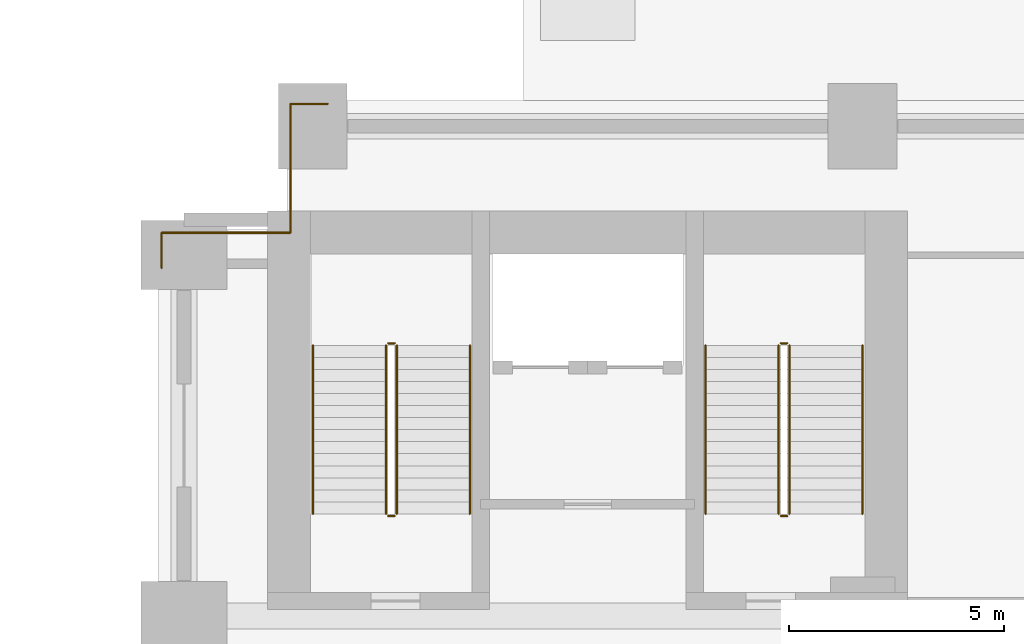
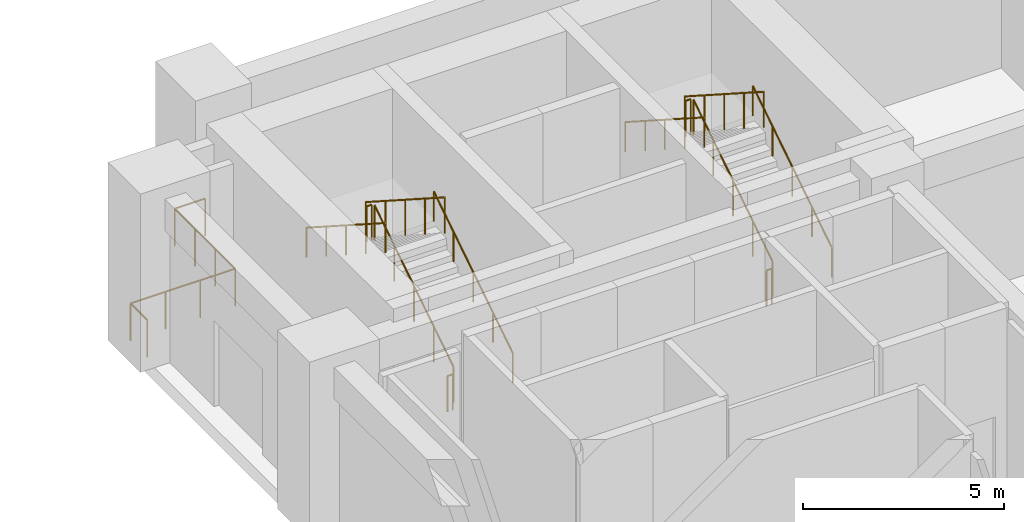
# One storey, part 10 of 14: 16 railings.
"""IFC4 building model written with IfcOpenShell, lengths in metres."""

from ifc_helpers import new_model, si_unit, direction, frame, origin, origin_2d, place, context, subcontext, project, spatial, circle, extrude, material, type_object, element, save


model = new_model("IFC4")

# Units and contexts
model_context = context("Model", 3, precision=1e-05, world=origin(), true_north=direction((0.0, 1.0)))
body_context = subcontext(model_context, "Body", "Model", "MODEL_VIEW")
ifc_project = project(units=[si_unit("LENGTHUNIT", "METRE"), si_unit("AREAUNIT", "SQUARE_METRE"), si_unit("VOLUMEUNIT", "CUBIC_METRE"), si_unit("PLANEANGLEUNIT", "RADIAN"), si_unit("MASSUNIT", "GRAM", prefix="KILO")], contexts=[model_context])

# Site, building, storey
site_placement = place(None, origin())
site = spatial("IfcSite", under=ifc_project, at=site_placement, CompositionType="ELEMENT")
building_placement = place(site_placement, origin())
building = spatial("IfcBuilding", under=site, at=building_placement, Name="Sulina Concourse Tower", CompositionType="ELEMENT")
storey_placement = place(building_placement, origin())
storey = spatial("IfcBuildingStorey", under=building, at=storey_placement, Name="L00", CompositionType="ELEMENT", Elevation=0.0)

# Railings
ifc_material_1 = material(Name="Galvanised steel railing", Category="steel")
railing_type_1 = type_object("IfcRailingType", Name="Core Stair Steel Guardrail 1150mm", PredefinedType="GUARDRAIL", material=ifc_material_1)
railing_1_placement = place(storey_placement, frame((0.080078125, 42.10009765625, 0.0)))
element("IfcRailing", 1, at=railing_1_placement, inside=storey, type_object=railing_type_1, Name="L00 perimeter edge safety guardrail NW1", PredefinedType="GUARDRAIL", context=body_context, shape_type="SweptSolid", body=[
    extrude(circle(Radius=0.02392578125, at=origin_2d()), frame((0.0, 0.0, 1.1259765625), z_axis=(0.0, 1.0, 0.0), x_axis=(-1.0, 0.0, 0.0)), (0.0, 0.0, 1.0), 0.81982421875),
    extrude(circle(Radius=0.02099609375, at=origin_2d()), origin(), (0.0, 0.0, 1.0), 1.101806640625),
    extrude(circle(Radius=0.02099609375, at=origin_2d()), frame((0.0, 0.81982421875, 0.0)), (0.0, 0.0, 1.0), 1.101806640625),
])
railing_2_placement = place(storey_placement, frame((0.080078125, 42.919921875, 0.0)))
element("IfcRailing", 2, at=railing_2_placement, inside=storey, type_object=railing_type_1, Name="L00 perimeter edge safety guardrail NW2", PredefinedType="GUARDRAIL", context=body_context, shape_type="SweptSolid", body=[
    extrude(circle(Radius=0.02392578125, at=origin_2d()), frame((0.0, 0.0, 1.1259765625), z_axis=(1.0, 0.0, 0.0), x_axis=(0.0, 1.0, 0.0)), (0.0, 0.0, 1.0), 3.0),
    extrude(circle(Radius=0.02099609375, at=origin_2d()), origin(), (0.0, 0.0, 1.0), 1.101806640625),
    extrude(circle(Radius=0.02099609375, at=origin_2d()), frame((1.0, 0.0, 0.0)), (0.0, 0.0, 1.0), 1.101806640625),
    extrude(circle(Radius=0.02099609375, at=origin_2d()), frame((2.0, 0.0, 0.0)), (0.0, 0.0, 1.0), 1.101806640625),
    extrude(circle(Radius=0.02099609375, at=origin_2d()), frame((3.0, 0.0, 0.0)), (0.0, 0.0, 1.0), 1.101806640625),
])
railing_3_placement = place(storey_placement, frame((3.080078125, 42.919921875, 0.0)))
element("IfcRailing", 3, at=railing_3_placement, inside=storey, type_object=railing_type_1, Name="L00 perimeter edge safety guardrail NW3", PredefinedType="GUARDRAIL", context=body_context, shape_type="SweptSolid", body=[
    extrude(circle(Radius=0.02392578125, at=origin_2d()), frame((0.0, 0.0, 1.1259765625), z_axis=(0.0, 1.0, 0.0), x_axis=(-1.0, 0.0, 0.0)), (0.0, 0.0, 1.0), 3.0),
    extrude(circle(Radius=0.02099609375, at=origin_2d()), origin(), (0.0, 0.0, 1.0), 1.101806640625),
    extrude(circle(Radius=0.02099609375, at=origin_2d()), frame((0.0, 1.0, 0.0)), (0.0, 0.0, 1.0), 1.101806640625),
    extrude(circle(Radius=0.02099609375, at=origin_2d()), frame((0.0, 2.0, 0.0)), (0.0, 0.0, 1.0), 1.101806640625),
    extrude(circle(Radius=0.02099609375, at=origin_2d()), frame((0.0, 3.0, 0.0)), (0.0, 0.0, 1.0), 1.101806640625),
])
railing_4_placement = place(storey_placement, frame((3.080078125, 45.919921875, 0.0)))
element("IfcRailing", 4, at=railing_4_placement, inside=storey, type_object=railing_type_1, Name="L00 perimeter edge safety guardrail NW4", PredefinedType="GUARDRAIL", context=body_context, shape_type="SweptSolid", body=[
    extrude(circle(Radius=0.02392578125, at=origin_2d()), frame((0.0, 0.0, 1.1259765625), z_axis=(1.0, 0.0, 0.0), x_axis=(0.0, 1.0, 0.0)), (0.0, 0.0, 1.0), 0.869873046875),
    extrude(circle(Radius=0.02099609375, at=origin_2d()), origin(), (0.0, 0.0, 1.0), 1.101806640625),
    extrude(circle(Radius=0.02099609375, at=origin_2d()), frame((0.869873046875, 0.0, 0.0)), (0.0, 0.0, 1.0), 1.101806640625),
])
railing_5_placement = place(storey_placement, frame((5.554931640625, 36.375, 0.179931640625)))
element("IfcRailing", 5, at=railing_5_placement, inside=storey, type_object=railing_type_1, Name="L00 ST-1 stair guard 1", PredefinedType="GUARDRAIL", context=body_context, shape_type="SweptSolid", body=[
    extrude(circle(Radius=0.02392578125, at=origin_2d()), frame((0.0, 0.0, 1.076171875), z_axis=(0.0, 0.841171666519, 0.540768182723), x_axis=(-1.0, 0.0, 0.0)), (0.0, 0.0, 1.0), 4.66015625),
    extrude(circle(Radius=0.02099609375, at=origin_2d()), origin(), (0.0, 0.0, 1.0), 1.052001953125),
    extrude(circle(Radius=0.02099609375, at=origin_2d()), frame((0.0, 0.97998046875, 0.6298828125)), (0.0, 0.0, 1.0), 1.052001953125),
    extrude(circle(Radius=0.02099609375, at=origin_2d()), frame((0.0, 1.9599609375, 1.260009765625)), (0.0, 0.0, 1.0), 1.052001953125),
    extrude(circle(Radius=0.02099609375, at=origin_2d()), frame((0.0, 2.93994140625, 1.89013671875)), (0.0, 0.0, 1.0), 1.052001953125),
    extrude(circle(Radius=0.02099609375, at=origin_2d()), frame((0.0, 3.919921875, 2.52001953125)), (0.0, 0.0, 1.0), 1.052001953125),
])
railing_6_placement = place(storey_placement, frame((5.5048828125, 40.344970703125, 2.699951171875)))
element("IfcRailing", 6, at=railing_6_placement, inside=storey, type_object=railing_type_1, Name="L00 ST-1 stair guard 2", PredefinedType="GUARDRAIL", context=body_context, shape_type="SweptSolid", body=[
    extrude(circle(Radius=0.02392578125, at=origin_2d()), frame((0.0, 0.0, 1.076171875), z_axis=(-1.0, 0.0, 0.0), x_axis=(0.0, -1.0, 0.0)), (0.0, 0.0, 1.0), 0.14990234375),
    extrude(circle(Radius=0.02099609375, at=origin_2d()), origin(), (0.0, 0.0, 1.0), 1.052001953125),
    extrude(circle(Radius=0.02099609375, at=origin_2d()), frame((-0.14990234375, 0.0, 0.0)), (0.0, 0.0, 1.0), 1.052001953125),
])
railing_7_placement = place(storey_placement, frame((5.304931640625, 40.294921875, 2.8798828125)))
element("IfcRailing", 7, at=railing_7_placement, inside=storey, type_object=railing_type_1, Name="L00 ST-1 stair guard 3", PredefinedType="GUARDRAIL", context=body_context, shape_type="SweptSolid", body=[
    extrude(circle(Radius=0.02392578125, at=origin_2d()), frame((0.0, 0.0, 1.076171875), z_axis=(0.0, -0.841171666519, 0.540768182723), x_axis=(1.0, 0.0, 0.0)), (0.0, 0.0, 1.0), 4.66015625),
    extrude(circle(Radius=0.02099609375, at=origin_2d()), origin(), (0.0, 0.0, 1.0), 1.052001953125),
    extrude(circle(Radius=0.02099609375, at=origin_2d()), frame((0.0, -0.97998046875, 0.6298828125)), (0.0, 0.0, 1.0), 1.052001953125),
    extrude(circle(Radius=0.02099609375, at=origin_2d()), frame((0.0, -1.9599609375, 1.260009765625)), (0.0, 0.0, 1.0), 1.052001953125),
    extrude(circle(Radius=0.02099609375, at=origin_2d()), frame((0.0, -2.93994140625, 1.89013671875)), (0.0, 0.0, 1.0), 1.052001953125),
    extrude(circle(Radius=0.02099609375, at=origin_2d()), frame((0.0, -3.919921875, 2.52001953125)), (0.0, 0.0, 1.0), 1.052001953125),
])
railing_8_placement = place(storey_placement, frame((5.5048828125, 36.324951171875, 0.0)))
element("IfcRailing", 8, at=railing_8_placement, inside=storey, type_object=railing_type_1, Name="L00 ST-1 stair guard 4", PredefinedType="GUARDRAIL", context=body_context, shape_type="SweptSolid", body=[
    extrude(circle(Radius=0.02392578125, at=origin_2d()), frame((0.0, 0.0, 1.076171875), z_axis=(-1.0, 0.0, 0.0), x_axis=(0.0, -1.0, 0.0)), (0.0, 0.0, 1.0), 0.14990234375),
    extrude(circle(Radius=0.02099609375, at=origin_2d()), origin(), (0.0, 0.0, 1.0), 1.052001953125),
    extrude(circle(Radius=0.02099609375, at=origin_2d()), frame((-0.14990234375, 0.0, 0.0)), (0.0, 0.0, 1.0), 1.052001953125),
])
railing_9_placement = place(storey_placement, frame((14.695068359375, 36.375, 0.179931640625)))
element("IfcRailing", 9, at=railing_9_placement, inside=storey, type_object=railing_type_1, Name="L00 ST-2 stair guard 1", PredefinedType="GUARDRAIL", context=body_context, shape_type="SweptSolid", body=[
    extrude(circle(Radius=0.02392578125, at=origin_2d()), frame((0.0, 0.0, 1.076171875), z_axis=(0.0, 0.841171666519, 0.540768182723), x_axis=(-1.0, 0.0, 0.0)), (0.0, 0.0, 1.0), 4.66015625),
    extrude(circle(Radius=0.02099609375, at=origin_2d()), origin(), (0.0, 0.0, 1.0), 1.052001953125),
    extrude(circle(Radius=0.02099609375, at=origin_2d()), frame((0.0, 0.97998046875, 0.6298828125)), (0.0, 0.0, 1.0), 1.052001953125),
    extrude(circle(Radius=0.02099609375, at=origin_2d()), frame((0.0, 1.9599609375, 1.260009765625)), (0.0, 0.0, 1.0), 1.052001953125),
    extrude(circle(Radius=0.02099609375, at=origin_2d()), frame((0.0, 2.93994140625, 1.89013671875)), (0.0, 0.0, 1.0), 1.052001953125),
    extrude(circle(Radius=0.02099609375, at=origin_2d()), frame((0.0, 3.919921875, 2.52001953125)), (0.0, 0.0, 1.0), 1.052001953125),
])
railing_10_placement = place(storey_placement, frame((14.64501953125, 40.344970703125, 2.699951171875)))
element("IfcRailing", 10, at=railing_10_placement, inside=storey, type_object=railing_type_1, Name="L00 ST-2 stair guard 2", PredefinedType="GUARDRAIL", context=body_context, shape_type="SweptSolid", body=[
    extrude(circle(Radius=0.02392578125, at=origin_2d()), frame((0.0, 0.0, 1.076171875), z_axis=(-1.0, 0.0, 0.0), x_axis=(0.0, -1.0, 0.0)), (0.0, 0.0, 1.0), 0.14990234375),
    extrude(circle(Radius=0.02099609375, at=origin_2d()), origin(), (0.0, 0.0, 1.0), 1.052001953125),
    extrude(circle(Radius=0.02099609375, at=origin_2d()), frame((-0.14990234375, 0.0, 0.0)), (0.0, 0.0, 1.0), 1.052001953125),
])
railing_11_placement = place(storey_placement, frame((14.445068359375, 40.294921875, 2.8798828125)))
element("IfcRailing", 11, at=railing_11_placement, inside=storey, type_object=railing_type_1, Name="L00 ST-2 stair guard 3", PredefinedType="GUARDRAIL", context=body_context, shape_type="SweptSolid", body=[
    extrude(circle(Radius=0.02392578125, at=origin_2d()), frame((0.0, 0.0, 1.076171875), z_axis=(0.0, -0.841171666519, 0.540768182723), x_axis=(1.0, 0.0, 0.0)), (0.0, 0.0, 1.0), 4.66015625),
    extrude(circle(Radius=0.02099609375, at=origin_2d()), origin(), (0.0, 0.0, 1.0), 1.052001953125),
    extrude(circle(Radius=0.02099609375, at=origin_2d()), frame((0.0, -0.97998046875, 0.6298828125)), (0.0, 0.0, 1.0), 1.052001953125),
    extrude(circle(Radius=0.02099609375, at=origin_2d()), frame((0.0, -1.9599609375, 1.260009765625)), (0.0, 0.0, 1.0), 1.052001953125),
    extrude(circle(Radius=0.02099609375, at=origin_2d()), frame((0.0, -2.93994140625, 1.89013671875)), (0.0, 0.0, 1.0), 1.052001953125),
    extrude(circle(Radius=0.02099609375, at=origin_2d()), frame((0.0, -3.919921875, 2.52001953125)), (0.0, 0.0, 1.0), 1.052001953125),
])
railing_12_placement = place(storey_placement, frame((14.64501953125, 36.324951171875, 0.0)))
element("IfcRailing", 12, at=railing_12_placement, inside=storey, type_object=railing_type_1, Name="L00 ST-2 stair guard 4", PredefinedType="GUARDRAIL", context=body_context, shape_type="SweptSolid", body=[
    extrude(circle(Radius=0.02392578125, at=origin_2d()), frame((0.0, 0.0, 1.076171875), z_axis=(-1.0, 0.0, 0.0), x_axis=(0.0, -1.0, 0.0)), (0.0, 0.0, 1.0), 0.14990234375),
    extrude(circle(Radius=0.02099609375, at=origin_2d()), origin(), (0.0, 0.0, 1.0), 1.052001953125),
    extrude(circle(Radius=0.02099609375, at=origin_2d()), frame((-0.14990234375, 0.0, 0.0)), (0.0, 0.0, 1.0), 1.052001953125),
])
ifc_material_2 = material(Name="Galvanised steel railing", Category="steel")
railing_type_2 = type_object("IfcRailingType", Name="Stair Wall Steel Handrail 920mm", PredefinedType="HANDRAIL", material=ifc_material_2)
railing_13_placement = place(storey_placement, frame((7.2548828125, 36.375, 0.179931640625)))
element("IfcRailing", 13, at=railing_13_placement, inside=storey, type_object=railing_type_2, Name="L00 ST-1 stair handrail 1", PredefinedType="HANDRAIL", context=body_context, shape_type="SweptSolid", body=[
    extrude(circle(Radius=0.02392578125, at=origin_2d()), frame((0.0, 0.0, 0.89599609375), z_axis=(0.0, 0.841171666519, 0.540768182723), x_axis=(-1.0, 0.0, 0.0)), (0.0, 0.0, 1.0), 4.66015625),
    extrude(circle(Radius=0.02099609375, at=origin_2d()), origin(), (0.0, 0.0, 1.0), 0.871826171875),
    extrude(circle(Radius=0.02099609375, at=origin_2d()), frame((0.0, 0.97998046875, 0.6298828125)), (0.0, 0.0, 1.0), 0.871826171875),
    extrude(circle(Radius=0.02099609375, at=origin_2d()), frame((0.0, 1.9599609375, 1.260009765625)), (0.0, 0.0, 1.0), 0.871826171875),
    extrude(circle(Radius=0.02099609375, at=origin_2d()), frame((0.0, 2.93994140625, 1.89013671875)), (0.0, 0.0, 1.0), 0.871826171875),
    extrude(circle(Radius=0.02099609375, at=origin_2d()), frame((0.0, 3.919921875, 2.52001953125)), (0.0, 0.0, 1.0), 0.871826171875),
])
railing_14_placement = place(storey_placement, frame((3.60498046875, 40.294921875, 2.8798828125)))
element("IfcRailing", 14, at=railing_14_placement, inside=storey, type_object=railing_type_2, Name="L00 ST-1 stair handrail 2", PredefinedType="HANDRAIL", context=body_context, shape_type="SweptSolid", body=[
    extrude(circle(Radius=0.02392578125, at=origin_2d()), frame((0.0, 0.0, 0.89599609375), z_axis=(0.0, -0.841171666519, 0.540768182723), x_axis=(1.0, 0.0, 0.0)), (0.0, 0.0, 1.0), 4.66015625),
    extrude(circle(Radius=0.02099609375, at=origin_2d()), origin(), (0.0, 0.0, 1.0), 0.871826171875),
    extrude(circle(Radius=0.02099609375, at=origin_2d()), frame((0.0, -0.97998046875, 0.6298828125)), (0.0, 0.0, 1.0), 0.871826171875),
    extrude(circle(Radius=0.02099609375, at=origin_2d()), frame((0.0, -1.9599609375, 1.260009765625)), (0.0, 0.0, 1.0), 0.871826171875),
    extrude(circle(Radius=0.02099609375, at=origin_2d()), frame((0.0, -2.93994140625, 1.89013671875)), (0.0, 0.0, 1.0), 0.871826171875),
    extrude(circle(Radius=0.02099609375, at=origin_2d()), frame((0.0, -3.919921875, 2.52001953125)), (0.0, 0.0, 1.0), 0.871826171875),
])
railing_15_placement = place(storey_placement, frame((16.39501953125, 36.375, 0.179931640625)))
element("IfcRailing", 15, at=railing_15_placement, inside=storey, type_object=railing_type_2, Name="L00 ST-2 stair handrail 1", PredefinedType="HANDRAIL", context=body_context, shape_type="SweptSolid", body=[
    extrude(circle(Radius=0.02392578125, at=origin_2d()), frame((0.0, 0.0, 0.89599609375), z_axis=(0.0, 0.841171666519, 0.540768182723), x_axis=(-1.0, 0.0, 0.0)), (0.0, 0.0, 1.0), 4.66015625),
    extrude(circle(Radius=0.02099609375, at=origin_2d()), origin(), (0.0, 0.0, 1.0), 0.871826171875),
    extrude(circle(Radius=0.02099609375, at=origin_2d()), frame((0.0, 0.97998046875, 0.6298828125)), (0.0, 0.0, 1.0), 0.871826171875),
    extrude(circle(Radius=0.02099609375, at=origin_2d()), frame((0.0, 1.9599609375, 1.260009765625)), (0.0, 0.0, 1.0), 0.871826171875),
    extrude(circle(Radius=0.02099609375, at=origin_2d()), frame((0.0, 2.93994140625, 1.89013671875)), (0.0, 0.0, 1.0), 0.871826171875),
    extrude(circle(Radius=0.02099609375, at=origin_2d()), frame((0.0, 3.919921875, 2.52001953125)), (0.0, 0.0, 1.0), 0.871826171875),
])
railing_16_placement = place(storey_placement, frame((12.7451171875, 40.294921875, 2.8798828125)))
element("IfcRailing", 16, at=railing_16_placement, inside=storey, type_object=railing_type_2, Name="L00 ST-2 stair handrail 2", PredefinedType="HANDRAIL", context=body_context, shape_type="SweptSolid", body=[
    extrude(circle(Radius=0.02392578125, at=origin_2d()), frame((0.0, 0.0, 0.89599609375), z_axis=(0.0, -0.841171666519, 0.540768182723), x_axis=(1.0, 0.0, 0.0)), (0.0, 0.0, 1.0), 4.66015625),
    extrude(circle(Radius=0.02099609375, at=origin_2d()), origin(), (0.0, 0.0, 1.0), 0.871826171875),
    extrude(circle(Radius=0.02099609375, at=origin_2d()), frame((0.0, -0.97998046875, 0.6298828125)), (0.0, 0.0, 1.0), 0.871826171875),
    extrude(circle(Radius=0.02099609375, at=origin_2d()), frame((0.0, -1.9599609375, 1.260009765625)), (0.0, 0.0, 1.0), 0.871826171875),
    extrude(circle(Radius=0.02099609375, at=origin_2d()), frame((0.0, -2.93994140625, 1.89013671875)), (0.0, 0.0, 1.0), 0.871826171875),
    extrude(circle(Radius=0.02099609375, at=origin_2d()), frame((0.0, -3.919921875, 2.52001953125)), (0.0, 0.0, 1.0), 0.871826171875),
])

save(model, "model.ifc")
